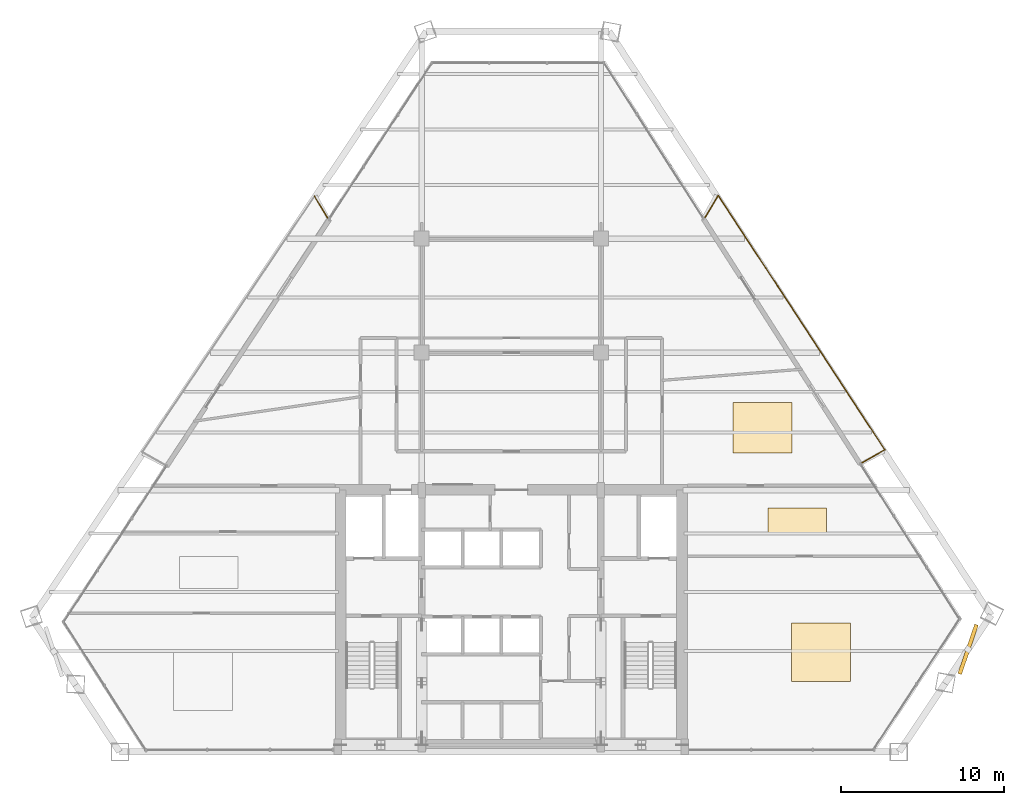
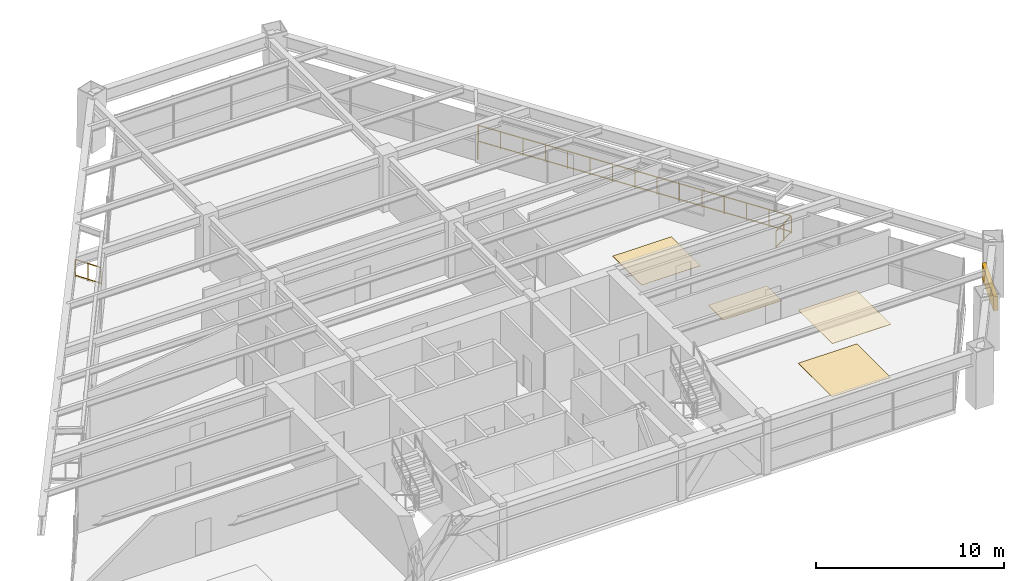
# One storey, part 14 of 14: 4 coverings, 4 railings, 1 shading device.
"""IFC4 building model written with IfcOpenShell, lengths in metres."""

import ifcopenshell
import ifcopenshell.guid

model = None  # the IFC model being written
_history = None  # IfcOwnerHistory: only IFC2X3 demands one
_inside = {}  # id of a spatial element -> (the spatial element, [elements in it])
_under = {}  # id of a project, library or spatial element -> (it, [spatial elements below it])
_declared = {}  # id of a project -> (the project, [libraries it declares])
_typed = {}  # id of a type object -> (the type object, [elements of that type])
_made_of = {}  # id of a material, layer set ... -> (it, [elements and type objects made of it])


def new_model(schema):
    """Start an empty IFC model of exactly this schema.

    Asked for "IFC4X3", IfcOpenShell would pick the latest addendum, in which some entities
    have other attributes; the version numbers below select the first issue.
    IFC2X3 requires an IfcOwnerHistory on every rooted entity: one is made here for all.
    """
    global model, _history
    if schema == "IFC4X3":
        model = ifcopenshell.file(schema_version=(4, 3, 0, 0))
    else:
        model = ifcopenshell.file(schema=schema)
    _inside.clear()
    _under.clear()
    _declared.clear()
    _typed.clear()
    _made_of.clear()
    _history = None
    if model.schema == "IFC2X3":
        org = make("IfcOrganization", Name="unknown")
        user = make(
            "IfcPersonAndOrganization",
            ThePerson=make("IfcPerson", FamilyName="unknown"),
            TheOrganization=org,
        )
        app = make(
            "IfcApplication",
            ApplicationDeveloper=org,
            Version="unknown",
            ApplicationFullName="unknown",
            ApplicationIdentifier="unknown",
        )
        _history = make(
            "IfcOwnerHistory",
            OwningUser=user,
            OwningApplication=app,
            ChangeAction="ADDED",
            CreationDate=0,
        )
    return model


def make(cls, **values):
    """One entity of the class cls with the attributes given. An attribute that is None is left unset."""
    return model.create_entity(
        cls, **{name: value for name, value in values.items() if value is not None}
    )


def rooted(cls, **values):
    """An entity with a GlobalId (a new one), such as an element, a storey or a relation."""
    return make(cls, GlobalId=ifcopenshell.guid.new(), OwnerHistory=_history, **values)


def si_unit(unit_type, name, prefix=None):
    """IfcSIUnit, for example si_unit("LENGTHUNIT", "METRE", prefix="MILLI")."""
    return make("IfcSIUnit", UnitType=unit_type, Prefix=prefix, Name=name)


def assignment(units):
    """IfcUnitAssignment: the units of a project."""
    return None if units is None else make("IfcUnitAssignment", Units=units)


def point(xyz):
    """IfcCartesianPoint."""
    return None if xyz is None else make("IfcCartesianPoint", Coordinates=xyz)


def direction(xyz):
    """IfcDirection."""
    return None if xyz is None else make("IfcDirection", DirectionRatios=xyz)


def frame(location, z_axis=None, x_axis=None):
    """IfcAxis2Placement3D, a coordinate frame: its origin and axes. An axis left out is left unset."""
    return make(
        "IfcAxis2Placement3D",
        Location=point(location),
        Axis=direction(z_axis),
        RefDirection=direction(x_axis),
    )


def frame_2d(location, x_axis=None):
    """IfcAxis2Placement2D, a coordinate frame in the plane: its origin and x axis."""
    return make(
        "IfcAxis2Placement2D", Location=point(location), RefDirection=direction(x_axis)
    )


def origin():
    """The frame at (0, 0, 0) with its axes left unset."""
    return frame((0.0, 0.0, 0.0))


def origin_2d():
    """The frame at (0, 0) in the plane with its x axis left unset."""
    return frame_2d((0.0, 0.0))


def place(relative_to, where):
    """IfcLocalPlacement: puts the frame where relative to a parent placement (None: the world)."""
    return make(
        "IfcLocalPlacement", PlacementRelTo=relative_to, RelativePlacement=where
    )


def context(
    kind, dimensions, precision=None, world=None, true_north=None, identifier=None
):
    """IfcGeometricRepresentationContext, for example the 3D "Model" context."""
    return make(
        "IfcGeometricRepresentationContext",
        ContextIdentifier=identifier,
        ContextType=kind,
        CoordinateSpaceDimension=dimensions,
        Precision=precision,
        WorldCoordinateSystem=world,
        TrueNorth=true_north,
    )


def subcontext(parent, identifier, kind, view, scale=None):
    """IfcGeometricRepresentationSubContext, for example "Body" below "Model"."""
    return make(
        "IfcGeometricRepresentationSubContext",
        ContextIdentifier=identifier,
        ContextType=kind,
        ParentContext=parent,
        TargetScale=scale,
        TargetView=view,
    )


def project(units=None, contexts=None):
    """IfcProject with its units and contexts."""
    return rooted(
        "IfcProject",
        Name="project",
        RepresentationContexts=contexts,
        UnitsInContext=assignment(units),
    )


def spatial(cls, under=None, at=None, **own):
    """A site, building, storey or space (cls), placed at a placement, below another one or the project."""
    s = rooted(cls, ObjectPlacement=at, **own)
    if under is not None:
        _under.setdefault(under.id(), (under, []))[1].append(s)
    return s


def profile(cls, at=None, kind="AREA", **sizes):
    """A parametric profile (cls). Its sizes go by their IFC names, for example OverallWidth=200.0."""
    return make(cls, ProfileType=kind, Position=at, **sizes)


def rectangle(**sizes):
    """IfcRectangleProfileDef."""
    return profile("IfcRectangleProfileDef", **sizes)


def extrude(swept, where, along, depth):
    """IfcExtrudedAreaSolid: the profile swept, set in the frame where, extruded along a direction by depth."""
    return make(
        "IfcExtrudedAreaSolid",
        SweptArea=swept,
        Position=where,
        ExtrudedDirection=direction(along),
        Depth=depth,
    )


def shape(context_of_items, identifier, shape_type, items):
    """IfcShapeRepresentation: the items that make up one representation, for example the "Body"."""
    return make(
        "IfcShapeRepresentation",
        ContextOfItems=context_of_items,
        RepresentationIdentifier=identifier,
        RepresentationType=shape_type,
        Items=items,
    )


def source(mapping_origin, context_of_items, identifier, shape_type, items):
    """IfcRepresentationMap: a shape defined once, which mapped items show again and again."""
    return make(
        "IfcRepresentationMap",
        MappingOrigin=mapping_origin,
        MappedRepresentation=shape(context_of_items, identifier, shape_type, items),
    )


def transform(
    local_origin,
    x_axis=None,
    y_axis=None,
    z_axis=None,
    scale=None,
    scale2=None,
    scale3=None,
    uniform=True,
):
    """IfcCartesianTransformationOperator3D, or its non-uniform kind. x_axis, y_axis, z_axis: its Axis1, 2, 3."""
    if uniform:
        return make(
            "IfcCartesianTransformationOperator3D",
            Axis1=direction(x_axis),
            Axis2=direction(y_axis),
            LocalOrigin=point(local_origin),
            Scale=scale,
            Axis3=direction(z_axis),
        )
    return make(
        "IfcCartesianTransformationOperator3DnonUniform",
        Axis1=direction(x_axis),
        Axis2=direction(y_axis),
        LocalOrigin=point(local_origin),
        Scale=scale,
        Axis3=direction(z_axis),
        Scale2=scale2,
        Scale3=scale3,
    )


def mapped(mapping_source, mapping_target):
    """IfcMappedItem: shows the shape of a source again, moved by a transform."""
    return make(
        "IfcMappedItem", MappingSource=mapping_source, MappingTarget=mapping_target
    )


def material(Name=None, Category=None):
    """IfcMaterial."""
    return make("IfcMaterial", Name=Name, Category=Category)


def layer(
    of_material, thickness, ventilated=None, Name=None, Category=None, Priority=None
):
    """IfcMaterialLayer: one layer of a wall or slab, of a material (None: an air gap)."""
    return make(
        "IfcMaterialLayer",
        Material=of_material,
        LayerThickness=thickness,
        IsVentilated=ventilated,
        Name=Name,
        Category=Category,
        Priority=Priority,
    )


def layer_set(layers, Name=None):
    """IfcMaterialLayerSet."""
    return make("IfcMaterialLayerSet", MaterialLayers=layers, LayerSetName=Name)


def made_of(thing, what):
    """Note that an element or type object is made of a material, layer set ...; save() writes the relation."""
    if what is not None:
        _made_of.setdefault(what.id(), (what, []))[1].append(thing)
    return thing


def type_object(cls, material=None, **own):
    """A type object (cls), such as IfcWallType, which elements share."""
    return made_of(rooted(cls, **own), material)


def type_shapes(of_type, sources):
    """Give a type object the sources (RepresentationMaps) that its elements show as mapped items."""
    of_type.RepresentationMaps = sources


def element(
    cls,
    number,
    at=None,
    inside=None,
    cuts=None,
    type_object=None,
    material=None,
    context=None,
    identifier="Body",
    shape_type=None,
    held_by="IfcProductDefinitionShape",
    body=None,
    shapes=None,
    **own,
):
    """One element of the class cls, such as IfcWall. Its Tag is "e" and its number.

    at: its placement. inside: the storey or other place that contains it. cuts: it is an
    opening in that element (IfcRelVoidsElement). A single representation is given by context,
    identifier, shape_type and body (its items); several are given by shapes. held_by: the class
    of the entity that holds the representations. save() writes the other relations.
    """
    e = rooted(cls, Tag="e%d" % number, ObjectPlacement=at, **own)
    if body is not None:
        shapes = [shape(context, identifier, shape_type, body)]
    if shapes is not None:
        e.Representation = make(held_by, Representations=shapes)
    if inside is not None:
        _inside.setdefault(inside.id(), (inside, []))[1].append(e)
    if cuts is not None:
        rooted(
            "IfcRelVoidsElement", RelatingBuildingElement=cuts, RelatedOpeningElement=e
        )
    if type_object is not None:
        _typed.setdefault(type_object.id(), (type_object, []))[1].append(e)
    return made_of(e, material)


def aggregate(whole, parts):
    """IfcRelAggregates: a whole, such as a stair, and the parts it consists of."""
    return rooted("IfcRelAggregates", RelatingObject=whole, RelatedObjects=parts)


def save(model, path):
    """Write the relations noted so far, then the file.

    IfcRelAggregates (storeys below a building ...), IfcRelContainedInSpatialStructure (elements
    in a storey), IfcRelDefinesByType, IfcRelAssociatesMaterial and IfcRelDeclares: one each for
    every whole, place, type object, material and project.
    """
    for whole, parts in _under.values():
        aggregate(whole, parts)
    for where, things in _inside.values():
        rooted(
            "IfcRelContainedInSpatialStructure",
            RelatedElements=things,
            RelatingStructure=where,
        )
    for kind, things in _typed.values():
        rooted("IfcRelDefinesByType", RelatedObjects=things, RelatingType=kind)
    for what, things in _made_of.values():
        rooted("IfcRelAssociatesMaterial", RelatedObjects=things, RelatingMaterial=what)
    for by, libraries in _declared.values():
        rooted("IfcRelDeclares", RelatingContext=by, RelatedDefinitions=libraries)
    model.write(path)


model = new_model("IFC4")

# Units and contexts
model_context = context("Model", 3, precision=1e-05, world=origin(), true_north=direction((0.0, 1.0)))
body_context = subcontext(model_context, "Body", "Model", "MODEL_VIEW")
ifc_project = project(units=[si_unit("LENGTHUNIT", "METRE"), si_unit("AREAUNIT", "SQUARE_METRE"), si_unit("VOLUMEUNIT", "CUBIC_METRE"), si_unit("PLANEANGLEUNIT", "RADIAN"), si_unit("MASSUNIT", "GRAM", prefix="KILO")], contexts=[model_context])

# Site, building, storey
site_placement = place(None, origin())
site = spatial("IfcSite", under=ifc_project, at=site_placement, CompositionType="ELEMENT")
building_placement = place(site_placement, origin())
building = spatial("IfcBuilding", under=site, at=building_placement, Name="Varnakhor Terracotta Tower", CompositionType="ELEMENT")
storey_placement = place(building_placement, frame((0.0, 0.0, 125.60009765625)))
storey = spatial("IfcBuildingStorey", under=building, at=storey_placement, Name="L31", CompositionType="ELEMENT", Elevation=125.60009765625)

# Railings
ifc_material_1 = material(Name="Stainless Steel & Laminated Glass Guardrail", Category="steel")
railing_type = type_object("IfcRailingType", Name="RLG-LOGGIA-GUARD-1150", PredefinedType="GUARDRAIL", material=ifc_material_1)
railing_1_placement = place(storey_placement, frame((11.89697265625, 32.8095703125, 0.0)))
element("IfcRailing", 1, at=railing_1_placement, inside=storey, type_object=railing_type, Name="L31 E Loggia Glass Guard 1", PredefinedType="GUARDRAIL", context=body_context, shape_type="SweptSolid", body=[
    extrude(rectangle(XDim=0.048095703125, YDim=0.048095703125, at=origin_2d()), frame((0.0, 0.0, 1.1259765625), z_axis=(0.51396726301, 0.857809799754, 0.0), x_axis=(-0.857809799754, 0.51396726301, 0.0)), (0.0, 0.0, 1.0), 1.562744140625),
    extrude(rectangle(XDim=0.048095703125, YDim=0.048095703125, at=origin_2d()), frame((0.0, 0.0, 0.10009765625), z_axis=(0.51396726301, 0.857809799754, 0.0), x_axis=(-0.857809799754, 0.51396726301, 0.0)), (0.0, 0.0, 1.0), 1.562744140625),
    extrude(rectangle(XDim=0.0419921875, YDim=0.0419921875, at=origin_2d()), origin(), (0.0, 0.0, 1.0), 1.101806640625),
    extrude(rectangle(XDim=0.0419921875, YDim=0.0419921875, at=origin_2d()), frame((0.401611328125, 0.67041015625, 0.0)), (0.0, 0.0, 1.0), 1.101806640625),
    extrude(rectangle(XDim=0.0419921875, YDim=0.0419921875, at=origin_2d()), frame((0.80322265625, 1.340576171875, 0.0)), (0.0, 0.0, 1.0), 1.101806640625),
])
railing_2_placement = place(storey_placement, frame((12.7001953125, 34.150146484375, 0.0)))
element("IfcRailing", 2, at=railing_2_placement, inside=storey, type_object=railing_type, Name="L31 E Loggia Glass Guard 2", PredefinedType="GUARDRAIL", context=body_context, shape_type="SweptSolid", body=[
    extrude(rectangle(XDim=0.048095703125, YDim=0.048095703125, at=origin_2d()), frame((0.0, 0.0, 1.1259765625), z_axis=(0.547886694785, -0.836552550458, 0.0), x_axis=(0.836552550458, 0.547886694785, 0.0)), (0.0, 0.0, 1.0), 18.65576171875),
    extrude(rectangle(XDim=0.048095703125, YDim=0.048095703125, at=origin_2d()), frame((0.0, 0.0, 0.10009765625), z_axis=(0.547886694785, -0.836552550458, 0.0), x_axis=(0.836552550458, 0.547886694785, 0.0)), (0.0, 0.0, 1.0), 18.65576171875),
    extrude(rectangle(XDim=0.0419921875, YDim=0.0419921875, at=origin_2d()), origin(), (0.0, 0.0, 1.0), 1.101806640625),
    extrude(rectangle(XDim=0.0419921875, YDim=0.0419921875, at=origin_2d()), frame((0.72998046875, -1.11474609375, 0.0)), (0.0, 0.0, 1.0), 1.101806640625),
    extrude(rectangle(XDim=0.0419921875, YDim=0.0419921875, at=origin_2d()), frame((1.460205078125, -2.2294921875, 0.0)), (0.0, 0.0, 1.0), 1.101806640625),
    extrude(rectangle(XDim=0.0419921875, YDim=0.0419921875, at=origin_2d()), frame((2.190185546875, -3.34423828125, 0.0)), (0.0, 0.0, 1.0), 1.101806640625),
    extrude(rectangle(XDim=0.0419921875, YDim=0.0419921875, at=origin_2d()), frame((2.92041015625, -4.458984375, 0.0)), (0.0, 0.0, 1.0), 1.101806640625),
    extrude(rectangle(XDim=0.0419921875, YDim=0.0419921875, at=origin_2d()), frame((3.650390625, -5.57373046875, 0.0)), (0.0, 0.0, 1.0), 1.101806640625),
    extrude(rectangle(XDim=0.0419921875, YDim=0.0419921875, at=origin_2d()), frame((4.380615234375, -6.6884765625, 0.0)), (0.0, 0.0, 1.0), 1.101806640625),
    extrude(rectangle(XDim=0.0419921875, YDim=0.0419921875, at=origin_2d()), frame((5.110595703125, -7.80322265625, 0.0)), (0.0, 0.0, 1.0), 1.101806640625),
    extrude(rectangle(XDim=0.0419921875, YDim=0.0419921875, at=origin_2d()), frame((5.840576171875, -8.91796875, 0.0)), (0.0, 0.0, 1.0), 1.101806640625),
    extrude(rectangle(XDim=0.0419921875, YDim=0.0419921875, at=origin_2d()), frame((6.57080078125, -10.03271484375, 0.0)), (0.0, 0.0, 1.0), 1.101806640625),
    extrude(rectangle(XDim=0.0419921875, YDim=0.0419921875, at=origin_2d()), frame((7.30078125, -11.1474609375, 0.0)), (0.0, 0.0, 1.0), 1.101806640625),
    extrude(rectangle(XDim=0.0419921875, YDim=0.0419921875, at=origin_2d()), frame((8.031005859375, -12.26220703125, 0.0)), (0.0, 0.0, 1.0), 1.101806640625),
    extrude(rectangle(XDim=0.0419921875, YDim=0.0419921875, at=origin_2d()), frame((8.760986328125, -13.376953125, 0.0)), (0.0, 0.0, 1.0), 1.101806640625),
    extrude(rectangle(XDim=0.0419921875, YDim=0.0419921875, at=origin_2d()), frame((9.4912109375, -14.49169921875, 0.0)), (0.0, 0.0, 1.0), 1.101806640625),
    extrude(rectangle(XDim=0.0419921875, YDim=0.0419921875, at=origin_2d()), frame((10.22119140625, -15.6064453125, 0.0)), (0.0, 0.0, 1.0), 1.101806640625),
])
railing_3_placement = place(storey_placement, frame((22.92138671875, 18.543701171875, 0.0)))
element("IfcRailing", 3, at=railing_3_placement, inside=storey, type_object=railing_type, Name="L31 E Loggia Glass Guard 3", PredefinedType="GUARDRAIL", context=body_context, shape_type="SweptSolid", body=[
    extrude(rectangle(XDim=0.048095703125, YDim=0.048095703125, at=origin_2d()), frame((0.0, 0.0, 1.1259765625), z_axis=(-0.866921082555, -0.498445419902, 0.0), x_axis=(0.498445419902, -0.866921082555, 0.0)), (0.0, 0.0, 1.0), 1.60595703125),
    extrude(rectangle(XDim=0.048095703125, YDim=0.048095703125, at=origin_2d()), frame((0.0, 0.0, 0.10009765625), z_axis=(-0.866921082555, -0.498445419902, 0.0), x_axis=(0.498445419902, -0.866921082555, 0.0)), (0.0, 0.0, 1.0), 1.60595703125),
    extrude(rectangle(XDim=0.0419921875, YDim=0.0419921875, at=origin_2d()), origin(), (0.0, 0.0, 1.0), 1.101806640625),
    extrude(rectangle(XDim=0.0419921875, YDim=0.0419921875, at=origin_2d()), frame((-0.6962890625, -0.400390625, 0.0)), (0.0, 0.0, 1.0), 1.101806640625),
    extrude(rectangle(XDim=0.0419921875, YDim=0.0419921875, at=origin_2d()), frame((-1.392333984375, -0.800537109375, 0.0)), (0.0, 0.0, 1.0), 1.101806640625),
])
railing_4_placement = place(storey_placement, frame((-12.082763671875, 34.1005859375, 0.0)))
element("IfcRailing", 4, at=railing_4_placement, inside=storey, type_object=railing_type, Name="L31 W Loggia Glass Guard 3", PredefinedType="GUARDRAIL", context=body_context, shape_type="SweptSolid", body=[
    extrude(rectangle(XDim=0.048095703125, YDim=0.048095703125, at=origin_2d()), frame((0.0, 0.0, 1.1259765625), z_axis=(0.515827570925, -0.856692428514, 0.0), x_axis=(0.856692428514, 0.515827570925, 0.0)), (0.0, 0.0, 1.0), 1.562744140625),
    extrude(rectangle(XDim=0.048095703125, YDim=0.048095703125, at=origin_2d()), frame((0.0, 0.0, 0.10009765625), z_axis=(0.515827570925, -0.856692428514, 0.0), x_axis=(0.856692428514, 0.515827570925, 0.0)), (0.0, 0.0, 1.0), 1.562744140625),
    extrude(rectangle(XDim=0.0419921875, YDim=0.0419921875, at=origin_2d()), origin(), (0.0, 0.0, 1.0), 1.101806640625),
    extrude(rectangle(XDim=0.0419921875, YDim=0.0419921875, at=origin_2d()), frame((0.403076171875, -0.66943359375, 0.0)), (0.0, 0.0, 1.0), 1.101806640625),
    extrude(rectangle(XDim=0.0419921875, YDim=0.0419921875, at=origin_2d()), frame((0.80615234375, -1.3388671875, 0.0)), (0.0, 0.0, 1.0), 1.101806640625),
])

# Shading device
ifc_material_2 = material(Name="Extruded Architectural Terracotta Screen", Category="masonry")
shading_device_type = type_object("IfcShadingDeviceType", Name="TERRACOTTA SOLAR SCREEN E", PredefinedType="USERDEFINED", material=ifc_material_2)
shared_shape_1 = source(origin(), body_context, "Body", "SweptSolid", [
    extrude(rectangle(XDim=3.199951171875, YDim=0.239990234375, at=origin_2d()), origin(), (0.0, 0.0, 1.0), 0.919921875),
])
type_shapes(shading_device_type, [shared_shape_1])
shading_device_placement = place(storey_placement, frame((28.0380859375, 6.290283203125, 1.7099609375), z_axis=(0.0, 0.0, 1.0), x_axis=(0.324016490249, 0.946051433087, 0.0)))
element("IfcShadingDevice", 5, at=shading_device_placement, inside=storey, type_object=shading_device_type, Name="L31 E Terracotta Solar Screen", ObjectType="SCREEN", PredefinedType="USERDEFINED", context=body_context, shape_type="MappedRepresentation", body=[
    mapped(shared_shape_1, transform((0.0, 0.0, 0.0), scale=1.0)),
])

# Coverings
ifc_material_3 = material(Name="Honed Riyadh Limestone Flooring", Category="masonry")
ifc_layer_1 = layer(ifc_material_3, 0.030029296875, Name="Honed Riyadh Limestone Flooring")
ifc_layer_set_1 = layer_set([ifc_layer_1], Name="Honed Riyadh Limestone Flooring")
covering_type_1 = type_object("IfcCoveringType", Name="COV-FLOOR-LIMESTONE", PredefinedType="FLOORING", material=ifc_layer_set_1)
shared_shape_2 = source(origin(), body_context, "Body", "SweptSolid", [
    extrude(rectangle(XDim=3.60009765625, YDim=3.60009765625, at=origin_2d()), origin(), (0.0, 0.0, 1.0), 0.02001953125),
])
covering_1_placement = place(storey_placement, frame((19.010009765625, 6.10205078125, 0.0), z_axis=(0.0, 0.0, 1.0), x_axis=(1.0, 0.0, 0.0)))
element("IfcCovering", 6, at=covering_1_placement, inside=storey, type_object=covering_type_1, Name="L31 Honed Stone Flooring 2", PredefinedType="FLOORING", context=body_context, shape_type="MappedRepresentation", body=[
    mapped(shared_shape_2, transform((0.0, 0.0, 0.0), scale=1.0)),
])
ifc_material_4 = material(Name="Perforated Acoustic Mineral-Fibre Ceiling", Category="gypsum")
ifc_layer_2 = layer(ifc_material_4, 0.02490234375, Name="Perforated Acoustic Mineral-Fibre Ceiling")
ifc_layer_set_2 = layer_set([ifc_layer_2], Name="Perforated Acoustic Mineral-Fibre Ceiling")
covering_type_2 = type_object("IfcCoveringType", Name="COV-CEILING-ACOUSTIC", PredefinedType="CEILING", material=ifc_layer_set_2)
shared_shape_3 = source(origin(), body_context, "Body", "SweptSolid", [
    extrude(rectangle(XDim=3.60009765625, YDim=3.60009765625, at=origin_2d()), origin(), (0.0, 0.0, 1.0), 0.02392578125),
])
covering_2_placement = place(storey_placement, frame((19.010009765625, 6.10205078125, 3.446044921875), z_axis=(0.0, 0.0, 1.0), x_axis=(1.0, 0.0, 0.0)))
element("IfcCovering", 7, at=covering_2_placement, inside=storey, type_object=covering_type_2, Name="L31 Acoustic Ceiling Panel 2", PredefinedType="CEILING", context=body_context, shape_type="MappedRepresentation", body=[
    mapped(shared_shape_3, transform((0.0, 0.0, 0.0), scale=1.0)),
])
shared_shape_4 = source(origin(), body_context, "Body", "SweptSolid", [
    extrude(rectangle(XDim=3.60009765625, YDim=1.58203125, at=origin_2d()), origin(), (0.0, 0.0, 1.0), 0.02001953125),
])
covering_3_placement = place(storey_placement, frame((17.551025390625, 14.1640625, 0.0), z_axis=(0.0, 0.0, 1.0), x_axis=(1.0, 0.0, 0.0)))
element("IfcCovering", 8, at=covering_3_placement, inside=storey, type_object=covering_type_1, Name="L31 Honed Stone Flooring 4", PredefinedType="FLOORING", context=body_context, shape_type="MappedRepresentation", body=[
    mapped(shared_shape_4, transform((0.0, 0.0, 0.0), scale=1.0)),
])
shared_shape_5 = source(origin(), body_context, "Body", "SweptSolid", [
    extrude(rectangle(XDim=3.60009765625, YDim=3.10205078125, at=origin_2d()), origin(), (0.0, 0.0, 1.0), 0.02001953125),
])
covering_4_placement = place(storey_placement, frame((15.41796875, 19.889892578125, 0.0), z_axis=(0.0, 0.0, 1.0), x_axis=(1.0, 0.0, 0.0)))
element("IfcCovering", 9, at=covering_4_placement, inside=storey, type_object=covering_type_1, Name="L31 Honed Stone Flooring 5", PredefinedType="FLOORING", context=body_context, shape_type="MappedRepresentation", body=[
    mapped(shared_shape_5, transform((0.0, 0.0, 0.0), scale=1.0)),
])

save(model, "model.ifc")
